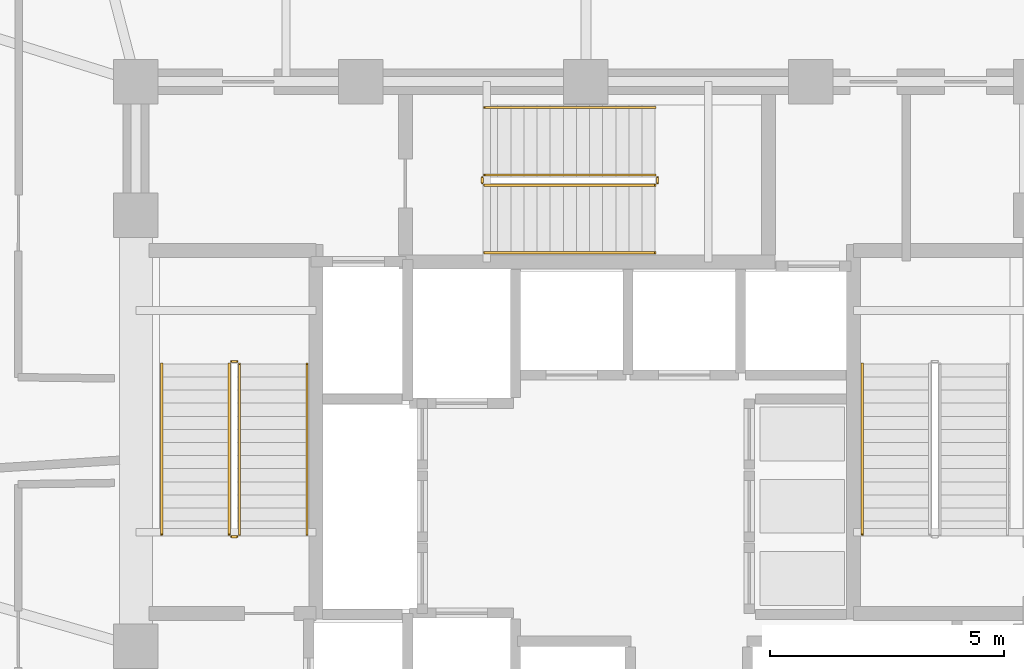
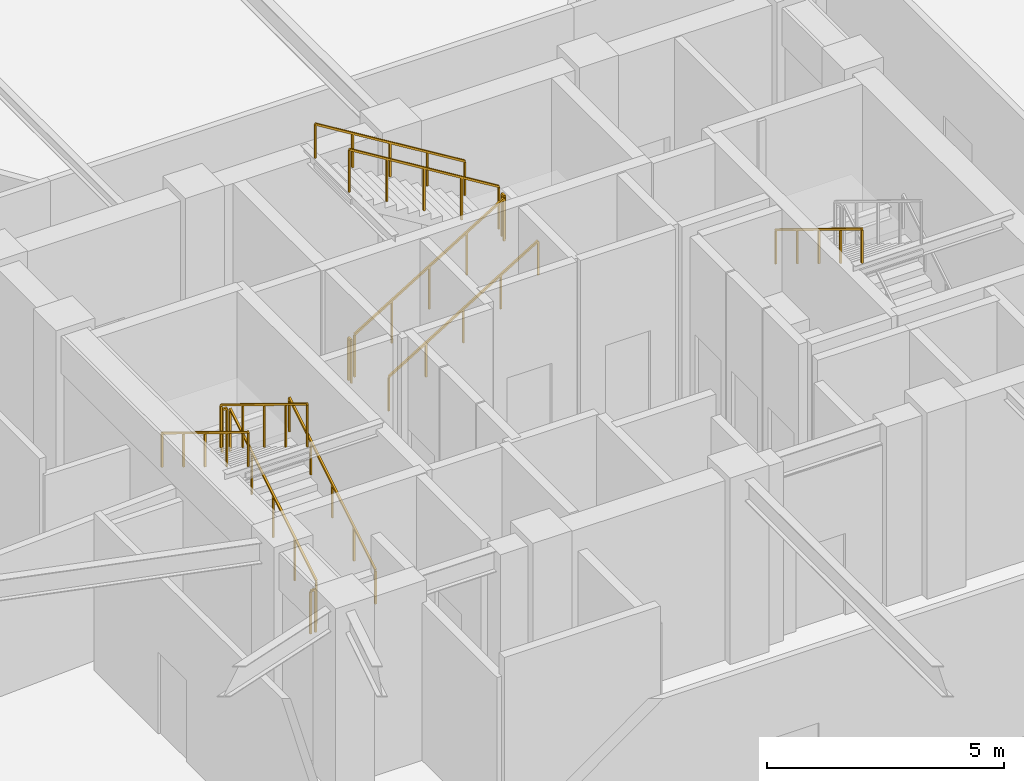
# One storey, part 14 of 17: 13 railings.
"""IFC4 building model written with IfcOpenShell, lengths in metres."""

from ifc_helpers import new_model, si_unit, direction, frame, origin, origin_2d, place, context, subcontext, project, spatial, rectangle, extrude, material, type_object, element, save


model = new_model("IFC4")

# Units and contexts
model_context = context("Model", 3, precision=1e-05, world=origin(), true_north=direction((0.0, 1.0)))
body_context = subcontext(model_context, "Body", "Model", "MODEL_VIEW")
ifc_project = project(units=[si_unit("LENGTHUNIT", "METRE"), si_unit("AREAUNIT", "SQUARE_METRE"), si_unit("VOLUMEUNIT", "CUBIC_METRE"), si_unit("PLANEANGLEUNIT", "RADIAN"), si_unit("MASSUNIT", "GRAM", prefix="KILO")], contexts=[model_context])

# Site, building, storey
site_placement = place(None, origin())
site = spatial("IfcSite", under=ifc_project, at=site_placement, CompositionType="ELEMENT")
building_placement = place(site_placement, origin())
building = spatial("IfcBuilding", under=site, at=building_placement, Name="Vantalir Tower", CompositionType="ELEMENT")
storey_placement = place(building_placement, frame((0.0, 0.0, 96.14990234375)))
storey = spatial("IfcBuildingStorey", under=building, at=storey_placement, Name="L23", CompositionType="ELEMENT", Elevation=96.14990234375)

# Railings
ifc_material_1 = material(Name="Anodised aluminium and stainless steel guard", Category="steel")
railing_type_1 = type_object("IfcRailingType", Name="RAL-GUARD-1120", PredefinedType="GUARDRAIL", material=ifc_material_1)
railing_1_placement = place(storey_placement, frame((24.110107421875, 22.7900390625, 0.171630859375)))
element("IfcRailing", 1, at=railing_1_placement, inside=storey, type_object=railing_type_1, Name="L23 ST1 stair guard 1", PredefinedType="GUARDRAIL", context=body_context, shape_type="SweptSolid", body=[
    extrude(rectangle(XDim=0.048095703125, YDim=0.048095703125, at=origin_2d()), frame((0.0, 0.0, 1.09619140625), z_axis=(0.0, 0.852850264322, 0.5221555579), x_axis=(-1.0, 0.0, 0.0)), (0.0, 0.0, 1.0), 4.267822265625),
    extrude(rectangle(XDim=0.0419921875, YDim=0.0419921875, at=origin_2d()), origin(), (0.0, 0.0, 1.0), 1.072021484375),
    extrude(rectangle(XDim=0.0419921875, YDim=0.0419921875, at=origin_2d()), frame((0.0, 0.909912109375, 0.55712890625)), (0.0, 0.0, 1.0), 1.072021484375),
    extrude(rectangle(XDim=0.0419921875, YDim=0.0419921875, at=origin_2d()), frame((0.0, 1.81982421875, 1.1142578125)), (0.0, 0.0, 1.0), 1.072021484375),
    extrude(rectangle(XDim=0.0419921875, YDim=0.0419921875, at=origin_2d()), frame((0.0, 2.72998046875, 1.67138671875)), (0.0, 0.0, 1.0), 1.072021484375),
    extrude(rectangle(XDim=0.0419921875, YDim=0.0419921875, at=origin_2d()), frame((0.0, 3.639892578125, 2.228515625)), (0.0, 0.0, 1.0), 1.072021484375),
])
railing_2_placement = place(storey_placement, frame((24.06005859375, 26.47998046875, 2.400146484375)))
element("IfcRailing", 2, at=railing_2_placement, inside=storey, type_object=railing_type_1, Name="L23 ST1 stair guard 2", PredefinedType="GUARDRAIL", context=body_context, shape_type="SweptSolid", body=[
    extrude(rectangle(XDim=0.048095703125, YDim=0.048095703125, at=origin_2d()), frame((0.0, 0.0, 1.09619140625), z_axis=(-1.0, 0.0, 0.0), x_axis=(0.0, -1.0, 0.0)), (0.0, 0.0, 1.0), 0.1201171875),
    extrude(rectangle(XDim=0.0419921875, YDim=0.0419921875, at=origin_2d()), origin(), (0.0, 0.0, 1.0), 1.072021484375),
    extrude(rectangle(XDim=0.0419921875, YDim=0.0419921875, at=origin_2d()), frame((-0.1201171875, 0.0, 0.0)), (0.0, 0.0, 1.0), 1.072021484375),
])
railing_3_placement = place(storey_placement, frame((23.889892578125, 26.429931640625, 2.571533203125)))
element("IfcRailing", 3, at=railing_3_placement, inside=storey, type_object=railing_type_1, Name="L23 ST1 stair guard 3", PredefinedType="GUARDRAIL", context=body_context, shape_type="SweptSolid", body=[
    extrude(rectangle(XDim=0.048095703125, YDim=0.048095703125, at=origin_2d()), frame((0.0, 0.0, 1.09619140625), z_axis=(0.0, -0.852850264322, 0.5221555579), x_axis=(1.0, 0.0, 0.0)), (0.0, 0.0, 1.0), 4.267822265625),
    extrude(rectangle(XDim=0.0419921875, YDim=0.0419921875, at=origin_2d()), origin(), (0.0, 0.0, 1.0), 1.072021484375),
    extrude(rectangle(XDim=0.0419921875, YDim=0.0419921875, at=origin_2d()), frame((0.0, -0.909912109375, 0.55712890625)), (0.0, 0.0, 1.0), 1.072021484375),
    extrude(rectangle(XDim=0.0419921875, YDim=0.0419921875, at=origin_2d()), frame((0.0, -1.81982421875, 1.1142578125)), (0.0, 0.0, 1.0), 1.072021484375),
    extrude(rectangle(XDim=0.0419921875, YDim=0.0419921875, at=origin_2d()), frame((0.0, -2.72998046875, 1.67138671875)), (0.0, 0.0, 1.0), 1.072021484375),
    extrude(rectangle(XDim=0.0419921875, YDim=0.0419921875, at=origin_2d()), frame((0.0, -3.639892578125, 2.228515625)), (0.0, 0.0, 1.0), 1.072021484375),
])
railing_4_placement = place(storey_placement, frame((24.06005859375, 22.739990234375, 0.0)))
element("IfcRailing", 4, at=railing_4_placement, inside=storey, type_object=railing_type_1, Name="L23 ST1 stair guard 4", PredefinedType="GUARDRAIL", context=body_context, shape_type="SweptSolid", body=[
    extrude(rectangle(XDim=0.048095703125, YDim=0.048095703125, at=origin_2d()), frame((0.0, 0.0, 1.09619140625), z_axis=(-1.0, 0.0, 0.0), x_axis=(0.0, -1.0, 0.0)), (0.0, 0.0, 1.0), 0.1201171875),
    extrude(rectangle(XDim=0.0419921875, YDim=0.0419921875, at=origin_2d()), origin(), (0.0, 0.0, 1.0), 1.072021484375),
    extrude(rectangle(XDim=0.0419921875, YDim=0.0419921875, at=origin_2d()), frame((-0.1201171875, 0.0, 0.0)), (0.0, 0.0, 1.0), 1.072021484375),
])
railing_5_placement = place(storey_placement, frame((29.340087890625, 30.239990234375, 0.171630859375)))
element("IfcRailing", 5, at=railing_5_placement, inside=storey, type_object=railing_type_1, Name="L23 ST3 stair guard 1", PredefinedType="GUARDRAIL", context=body_context, shape_type="SweptSolid", body=[
    extrude(rectangle(XDim=0.048095703125, YDim=0.048095703125, at=origin_2d()), frame((0.0, 0.0, 1.09619140625), z_axis=(0.852850264322, 0.0, 0.5221555579), x_axis=(0.0, 1.0, 0.0)), (0.0, 0.0, 1.0), 4.267822265625),
    extrude(rectangle(XDim=0.0419921875, YDim=0.0419921875, at=origin_2d()), origin(), (0.0, 0.0, 1.0), 1.072021484375),
    extrude(rectangle(XDim=0.0419921875, YDim=0.0419921875, at=origin_2d()), frame((0.909912109375, 0.0, 0.55712890625)), (0.0, 0.0, 1.0), 1.072021484375),
    extrude(rectangle(XDim=0.0419921875, YDim=0.0419921875, at=origin_2d()), frame((1.81982421875, 0.0, 1.1142578125)), (0.0, 0.0, 1.0), 1.072021484375),
    extrude(rectangle(XDim=0.0419921875, YDim=0.0419921875, at=origin_2d()), frame((2.72998046875, 0.0, 1.67138671875)), (0.0, 0.0, 1.0), 1.072021484375),
    extrude(rectangle(XDim=0.0419921875, YDim=0.0419921875, at=origin_2d()), frame((3.639892578125, 0.0, 2.228515625)), (0.0, 0.0, 1.0), 1.072021484375),
])
railing_6_placement = place(storey_placement, frame((33.030029296875, 30.2900390625, 2.400146484375)))
element("IfcRailing", 6, at=railing_6_placement, inside=storey, type_object=railing_type_1, Name="L23 ST3 stair guard 2", PredefinedType="GUARDRAIL", context=body_context, shape_type="SweptSolid", body=[
    extrude(rectangle(XDim=0.048095703125, YDim=0.048095703125, at=origin_2d()), frame((0.0, 0.0, 1.09619140625), z_axis=(0.0, 1.0, 0.0), x_axis=(-1.0, 0.0, 0.0)), (0.0, 0.0, 1.0), 0.119873046875),
    extrude(rectangle(XDim=0.0419921875, YDim=0.0419921875, at=origin_2d()), origin(), (0.0, 0.0, 1.0), 1.072021484375),
    extrude(rectangle(XDim=0.0419921875, YDim=0.0419921875, at=origin_2d()), frame((0.0, 0.119873046875, 0.0)), (0.0, 0.0, 1.0), 1.072021484375),
])
railing_7_placement = place(storey_placement, frame((32.97998046875, 30.4599609375, 2.571533203125)))
element("IfcRailing", 7, at=railing_7_placement, inside=storey, type_object=railing_type_1, Name="L23 ST3 stair guard 3", PredefinedType="GUARDRAIL", context=body_context, shape_type="SweptSolid", body=[
    extrude(rectangle(XDim=0.048095703125, YDim=0.048095703125, at=origin_2d()), frame((0.0, 0.0, 1.09619140625), z_axis=(-0.852850264322, 0.0, 0.5221555579), x_axis=(0.0, -1.0, 0.0)), (0.0, 0.0, 1.0), 4.267822265625),
    extrude(rectangle(XDim=0.0419921875, YDim=0.0419921875, at=origin_2d()), origin(), (0.0, 0.0, 1.0), 1.072021484375),
    extrude(rectangle(XDim=0.0419921875, YDim=0.0419921875, at=origin_2d()), frame((-0.909912109375, 0.0, 0.55712890625)), (0.0, 0.0, 1.0), 1.072021484375),
    extrude(rectangle(XDim=0.0419921875, YDim=0.0419921875, at=origin_2d()), frame((-1.81982421875, 0.0, 1.1142578125)), (0.0, 0.0, 1.0), 1.072021484375),
    extrude(rectangle(XDim=0.0419921875, YDim=0.0419921875, at=origin_2d()), frame((-2.72998046875, 0.0, 1.67138671875)), (0.0, 0.0, 1.0), 1.072021484375),
    extrude(rectangle(XDim=0.0419921875, YDim=0.0419921875, at=origin_2d()), frame((-3.639892578125, 0.0, 2.228515625)), (0.0, 0.0, 1.0), 1.072021484375),
])
railing_8_placement = place(storey_placement, frame((29.2900390625, 30.2900390625, 0.0)))
element("IfcRailing", 8, at=railing_8_placement, inside=storey, type_object=railing_type_1, Name="L23 ST3 stair guard 4", PredefinedType="GUARDRAIL", context=body_context, shape_type="SweptSolid", body=[
    extrude(rectangle(XDim=0.048095703125, YDim=0.048095703125, at=origin_2d()), frame((0.0, 0.0, 1.09619140625), z_axis=(0.0, 1.0, 0.0), x_axis=(-1.0, 0.0, 0.0)), (0.0, 0.0, 1.0), 0.119873046875),
    extrude(rectangle(XDim=0.0419921875, YDim=0.0419921875, at=origin_2d()), origin(), (0.0, 0.0, 1.0), 1.072021484375),
    extrude(rectangle(XDim=0.0419921875, YDim=0.0419921875, at=origin_2d()), frame((0.0, 0.119873046875, 0.0)), (0.0, 0.0, 1.0), 1.072021484375),
])
ifc_material_2 = material(Name="Brushed stainless steel tubular handrail", Category="steel")
railing_type_2 = type_object("IfcRailingType", Name="RAL-HANDRAIL-900", PredefinedType="HANDRAIL", material=ifc_material_2)
railing_9_placement = place(storey_placement, frame((25.550048828125, 22.7900390625, 0.171630859375)))
element("IfcRailing", 9, at=railing_9_placement, inside=storey, type_object=railing_type_2, Name="L23 ST1 stair handrail 1", PredefinedType="HANDRAIL", context=body_context, shape_type="SweptSolid", body=[
    extrude(rectangle(XDim=0.048095703125, YDim=0.048095703125, at=origin_2d()), frame((0.0, 0.0, 0.8759765625), z_axis=(0.0, 0.852850264322, 0.5221555579), x_axis=(-1.0, 0.0, 0.0)), (0.0, 0.0, 1.0), 4.267822265625),
    extrude(rectangle(XDim=0.0419921875, YDim=0.0419921875, at=origin_2d()), origin(), (0.0, 0.0, 1.0), 0.851806640625),
    extrude(rectangle(XDim=0.0419921875, YDim=0.0419921875, at=origin_2d()), frame((0.0, 0.909912109375, 0.55712890625)), (0.0, 0.0, 1.0), 0.851806640625),
    extrude(rectangle(XDim=0.0419921875, YDim=0.0419921875, at=origin_2d()), frame((0.0, 1.81982421875, 1.1142578125)), (0.0, 0.0, 1.0), 0.851806640625),
    extrude(rectangle(XDim=0.0419921875, YDim=0.0419921875, at=origin_2d()), frame((0.0, 2.72998046875, 1.67138671875)), (0.0, 0.0, 1.0), 0.851806640625),
    extrude(rectangle(XDim=0.0419921875, YDim=0.0419921875, at=origin_2d()), frame((0.0, 3.639892578125, 2.228515625)), (0.0, 0.0, 1.0), 0.851806640625),
])
for number, where, name in (
    (10, (22.449951171875, 26.429931640625, 2.571533203125), "L23 ST1 stair handrail 2"),
    (11, (37.39990234375, 26.429931640625, 2.571533203125), "L23 ST2 stair handrail 2"),
):
    element("IfcRailing", number, at=place(storey_placement, frame(where)), inside=storey, type_object=railing_type_2, Name=name, PredefinedType="HANDRAIL", context=body_context, shape_type="SweptSolid", body=[
        extrude(rectangle(XDim=0.048095703125, YDim=0.048095703125, at=origin_2d()), frame((0.0, 0.0, 0.8759765625), z_axis=(0.0, -0.852850264322, 0.5221555579), x_axis=(1.0, 0.0, 0.0)), (0.0, 0.0, 1.0), 4.267822265625),
        extrude(rectangle(XDim=0.0419921875, YDim=0.0419921875, at=origin_2d()), origin(), (0.0, 0.0, 1.0), 0.851806640625),
        extrude(rectangle(XDim=0.0419921875, YDim=0.0419921875, at=origin_2d()), frame((0.0, -0.909912109375, 0.55712890625)), (0.0, 0.0, 1.0), 0.851806640625),
        extrude(rectangle(XDim=0.0419921875, YDim=0.0419921875, at=origin_2d()), frame((0.0, -1.81982421875, 1.1142578125)), (0.0, 0.0, 1.0), 0.851806640625),
        extrude(rectangle(XDim=0.0419921875, YDim=0.0419921875, at=origin_2d()), frame((0.0, -2.72998046875, 1.67138671875)), (0.0, 0.0, 1.0), 0.851806640625),
        extrude(rectangle(XDim=0.0419921875, YDim=0.0419921875, at=origin_2d()), frame((0.0, -3.639892578125, 2.228515625)), (0.0, 0.0, 1.0), 0.851806640625),
    ])
railing_10_placement = place(storey_placement, frame((29.340087890625, 28.800048828125, 0.171630859375)))
element("IfcRailing", 12, at=railing_10_placement, inside=storey, type_object=railing_type_2, Name="L23 ST3 stair handrail 1", PredefinedType="HANDRAIL", context=body_context, shape_type="SweptSolid", body=[
    extrude(rectangle(XDim=0.048095703125, YDim=0.048095703125, at=origin_2d()), frame((0.0, 0.0, 0.8759765625), z_axis=(0.852850264322, 0.0, 0.5221555579), x_axis=(0.0, 1.0, 0.0)), (0.0, 0.0, 1.0), 4.267822265625),
    extrude(rectangle(XDim=0.0419921875, YDim=0.0419921875, at=origin_2d()), origin(), (0.0, 0.0, 1.0), 0.851806640625),
    extrude(rectangle(XDim=0.0419921875, YDim=0.0419921875, at=origin_2d()), frame((0.909912109375, 0.0, 0.55712890625)), (0.0, 0.0, 1.0), 0.851806640625),
    extrude(rectangle(XDim=0.0419921875, YDim=0.0419921875, at=origin_2d()), frame((1.81982421875, 0.0, 1.1142578125)), (0.0, 0.0, 1.0), 0.851806640625),
    extrude(rectangle(XDim=0.0419921875, YDim=0.0419921875, at=origin_2d()), frame((2.72998046875, 0.0, 1.67138671875)), (0.0, 0.0, 1.0), 0.851806640625),
    extrude(rectangle(XDim=0.0419921875, YDim=0.0419921875, at=origin_2d()), frame((3.639892578125, 0.0, 2.228515625)), (0.0, 0.0, 1.0), 0.851806640625),
])
railing_11_placement = place(storey_placement, frame((32.97998046875, 31.89990234375, 2.571533203125)))
element("IfcRailing", 13, at=railing_11_placement, inside=storey, type_object=railing_type_2, Name="L23 ST3 stair handrail 2", PredefinedType="HANDRAIL", context=body_context, shape_type="SweptSolid", body=[
    extrude(rectangle(XDim=0.048095703125, YDim=0.048095703125, at=origin_2d()), frame((0.0, 0.0, 0.8759765625), z_axis=(-0.852850264322, 0.0, 0.5221555579), x_axis=(0.0, -1.0, 0.0)), (0.0, 0.0, 1.0), 4.267822265625),
    extrude(rectangle(XDim=0.0419921875, YDim=0.0419921875, at=origin_2d()), origin(), (0.0, 0.0, 1.0), 0.851806640625),
    extrude(rectangle(XDim=0.0419921875, YDim=0.0419921875, at=origin_2d()), frame((-0.909912109375, 0.0, 0.55712890625)), (0.0, 0.0, 1.0), 0.851806640625),
    extrude(rectangle(XDim=0.0419921875, YDim=0.0419921875, at=origin_2d()), frame((-1.81982421875, 0.0, 1.1142578125)), (0.0, 0.0, 1.0), 0.851806640625),
    extrude(rectangle(XDim=0.0419921875, YDim=0.0419921875, at=origin_2d()), frame((-2.72998046875, 0.0, 1.67138671875)), (0.0, 0.0, 1.0), 0.851806640625),
    extrude(rectangle(XDim=0.0419921875, YDim=0.0419921875, at=origin_2d()), frame((-3.639892578125, 0.0, 2.228515625)), (0.0, 0.0, 1.0), 0.851806640625),
])

save(model, "model.ifc")
